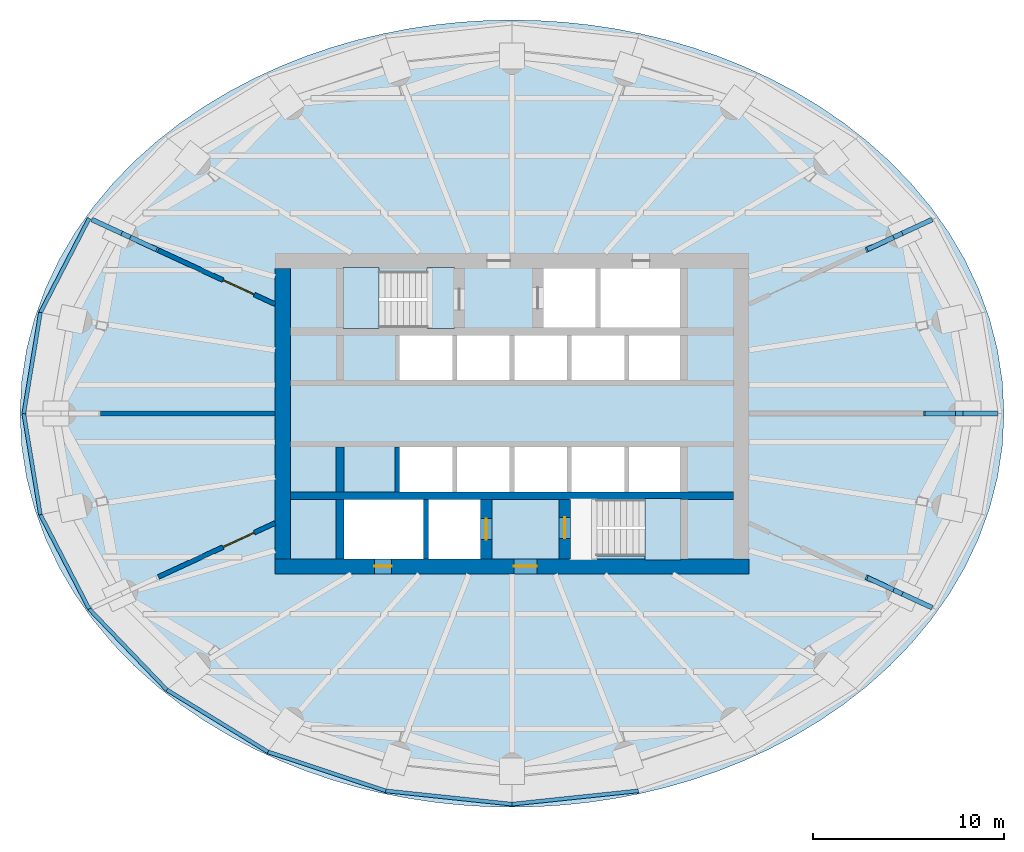
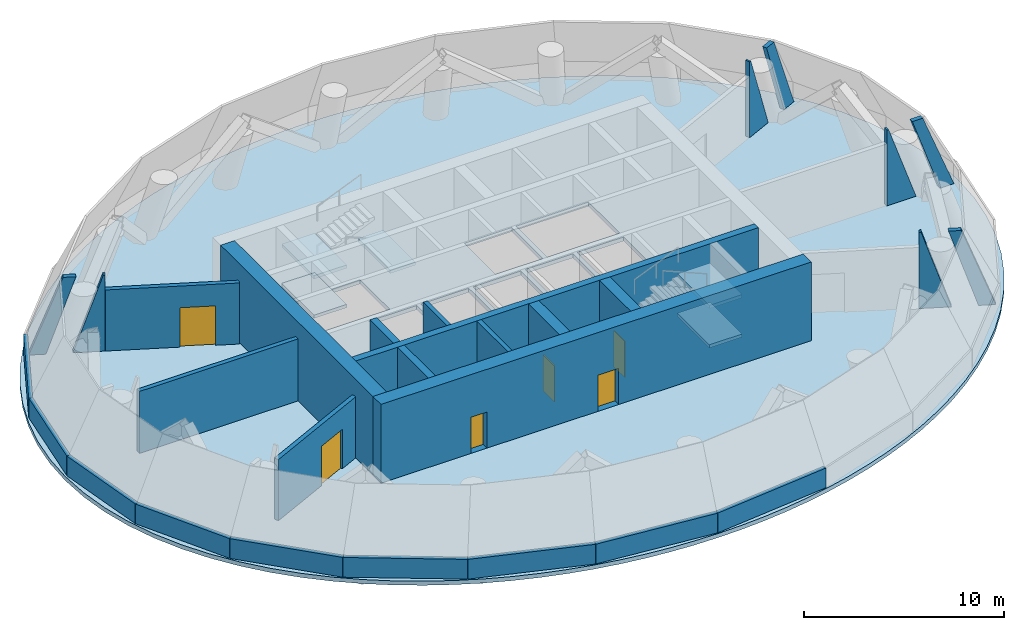
# One storey, part 4 of 7: 21 walls, 8 plates, 6 doors, 6 slabs, 6 openings, 2 elements without a shape of their own.
"""IFC4 building model written with IfcOpenShell, lengths in metres."""

from ifc_helpers import new_model, si_unit, direction, frame, frame_2d, origin, place, context, subcontext, project, spatial, polyline, rectangle, outline, extrude, material, layer, layer_set, type_object, element, fill, aggregate, save


model = new_model("IFC4")

# Units and contexts
model_context = context("Model", 3, precision=1e-05, world=origin(), true_north=direction((0.0, 1.0)))
body_context = subcontext(model_context, "Body", "Model", "MODEL_VIEW")
ifc_project = project(units=[si_unit("LENGTHUNIT", "METRE"), si_unit("AREAUNIT", "SQUARE_METRE"), si_unit("VOLUMEUNIT", "CUBIC_METRE"), si_unit("PLANEANGLEUNIT", "RADIAN"), si_unit("MASSUNIT", "GRAM", prefix="KILO")], contexts=[model_context])

# Site, building, storey
site_placement = place(None, origin())
site = spatial("IfcSite", under=ifc_project, at=site_placement, CompositionType="ELEMENT")
building_placement = place(site_placement, origin())
building = spatial("IfcBuilding", under=site, at=building_placement, Name="Hankou Lantern Tower", CompositionType="ELEMENT")
storey_placement = place(building_placement, frame((0.0, 0.0, 138.60009765625)))
storey = spatial("IfcBuildingStorey", under=building, at=storey_placement, Name="L36", CompositionType="ELEMENT", Elevation=138.60009765625)

# Plates
ifc_material_1 = material(Name="Fire-rated calcium silicate board on steel studs", Category="steel")
ifc_layer_1 = layer(ifc_material_1, 0.25)
ifc_layer_set_1 = layer_set([ifc_layer_1], Name="Fire-rated calcium silicate board on steel studs")
plate_type = type_object("IfcPlateType", Name="FC1 FIRE CLOSURE PANEL", PredefinedType="USERDEFINED", material=ifc_layer_set_1)
plate_1_placement = place(storey_placement, frame((18.56640625, 8.437744140625, 0.0), z_axis=(0.419347995877, -0.907825566005, 7.849859e-06), x_axis=(0.907825566033, 0.419347995889, -1.77e-10)))
element("IfcPlate", 1, at=plate_1_placement, inside=storey, type_object=plate_type, Name="Fire closure panel R03 inner L36", ObjectType="FIRE CLOSURE", PredefinedType="USERDEFINED", context=body_context, shape_type="SweptSolid", body=[
    extrude(outline(polyline([(0.0, 0.0), (1.6092544061965612, 0.0), (0.10005834045650583, 4.61987304703504), (-8.172578802356067e-10, 4.619873046732661), (0.0, 0.0)])), origin(), (0.0, 0.0, -1.0), 0.25),
])
plate_2_placement = place(storey_placement, frame((21.268798828125, 9.68603515625, 0.0), z_axis=(0.419316926769, -0.907839916968, 9.160366e-06), x_axis=(0.907839917006, 0.419316926787, -2.3e-10)))
element("IfcPlate", 2, at=plate_2_placement, inside=storey, type_object=plate_type, Name="Fire closure panel R03 outer L36", ObjectType="FIRE CLOSURE", PredefinedType="USERDEFINED", context=body_context, shape_type="SweptSolid", body=[
    extrude(outline(polyline([(0.0, 0.0), (0.8530194127164952, -4.235164736271502e-22), (-0.8664560068383167, 4.619873046869352), (-1.5091960675848435, 4.619873046524989), (0.0, 0.0)])), origin(), (0.0, 0.0, -1.0), 0.25),
])
plate_3_placement = place(storey_placement, frame((-18.461669921875, 8.664794921875, 0.0), z_axis=(0.419402376708, 0.907800444134, -6.552463e-06), x_axis=(-0.907800444153, 0.419402376717, -1.23e-10)))
element("IfcPlate", 3, at=plate_3_placement, inside=storey, type_object=plate_type, Name="Fire closure panel R11 inner L36", ObjectType="FIRE CLOSURE", PredefinedType="USERDEFINED", context=body_context, shape_type="SweptSolid", body=[
    extrude(outline(polyline([(0.0, 0.0), (1.609032770169032, -8.470329472543003e-22), (0.1000583426971336, 4.619873046986511), (-5.695139117115298e-10, 4.619873046775823), (0.0, 0.0)])), origin(), (0.0, 0.0, -1.0), 0.25),
])
plate_4_placement = place(storey_placement, frame((-21.1640625, 9.912841796875, 0.0), z_axis=(0.419316926769, 0.907839916968, -9.160366e-06), x_axis=(-0.907839917006, 0.419316926787, -2.3e-10)))
element("IfcPlate", 4, at=plate_4_placement, inside=storey, type_object=plate_type, Name="Fire closure panel R11 outer L36", ObjectType="FIRE CLOSURE", PredefinedType="USERDEFINED", context=body_context, shape_type="SweptSolid", body=[
    extrude(outline(polyline([(0.0, 0.0), (0.8530194127164952, -4.235164736271502e-22), (-0.8664560068383167, 4.619873046869352), (-1.5091960675848435, 4.619873046524989), (0.0, 0.0)])), origin(), (0.0, 0.0, -1.0), 0.25),
])
plate_5_placement = place(storey_placement, frame((18.56640625, -8.437744140625, 0.0), z_axis=(0.419347995877, 0.907825566005, 7.849859e-06), x_axis=(0.907825566033, -0.419347995889, -1.77e-10)))
element("IfcPlate", 5, at=plate_5_placement, inside=storey, type_object=plate_type, Name="Fire closure panel R23 inner L36", ObjectType="FIRE CLOSURE", PredefinedType="USERDEFINED", context=body_context, shape_type="SweptSolid", body=[
    extrude(outline(polyline([(0.0, 0.0), (1.6092544061965612, 0.0), (0.10005834045650583, -4.61987304703504), (-8.172578802356067e-10, -4.619873046732661), (0.0, 0.0)])), origin(), (0.0, 0.0, -1.0), 0.25),
])
plate_6_placement = place(storey_placement, frame((21.268798828125, -9.68603515625, 0.0), z_axis=(0.419316926769, 0.907839916968, 9.160366e-06), x_axis=(0.907839917006, -0.419316926787, -2.3e-10)))
element("IfcPlate", 6, at=plate_6_placement, inside=storey, type_object=plate_type, Name="Fire closure panel R23 outer L36", ObjectType="FIRE CLOSURE", PredefinedType="USERDEFINED", context=body_context, shape_type="SweptSolid", body=[
    extrude(outline(polyline([(0.0, 0.0), (0.8530194127164952, 4.235164736271502e-22), (-0.8664560068383167, -4.619873046869352), (-1.5091960675848435, -4.619873046524989), (0.0, 0.0)])), origin(), (0.0, 0.0, -1.0), 0.25),
])
plate_7_placement = place(storey_placement, frame((21.524658203125, 0.125, 0.0), z_axis=(0.0, 1.0, 0.0), x_axis=(1.0, 0.0, 0.0)))
element("IfcPlate", 7, at=plate_7_placement, inside=storey, type_object=plate_type, Name="Fire closure panel R01 inner L36", ObjectType="FIRE CLOSURE", PredefinedType="USERDEFINED", context=body_context, shape_type="SweptSolid", body=[
    extrude(outline(polyline([(0.0, 0.0), (1.68798828125, 0.0), (0.099853515625, -4.619873046875), (0.0, -4.619873046875), (0.0, 0.0)])), origin(), (0.0, 0.0, -1.0), 0.25),
])
plate_8_placement = place(storey_placement, frame((24.58740234375, 0.125, 0.0), z_axis=(0.0, 1.0, 0.0), x_axis=(1.0, 0.0, 0.0)))
element("IfcPlate", 8, at=plate_8_placement, inside=storey, type_object=plate_type, Name="Fire closure panel R01 outer L36", ObjectType="FIRE CLOSURE", PredefinedType="USERDEFINED", context=body_context, shape_type="SweptSolid", body=[
    extrude(outline(polyline([(0.0, 0.0), (0.8125, 0.0), (-0.9873046875, -4.619873046875), (-1.588134765625, -4.619873046875), (0.0, 0.0)])), origin(), (0.0, 0.0, -1.0), 0.25),
])

# Slab
ifc_material_2 = material(Name="Concrete C50", Category="concrete")
ifc_layer_2 = layer(ifc_material_2, 0.25)
ifc_layer_set_2 = layer_set([ifc_layer_2], Name="Concrete C50")
slab_type_1 = type_object("IfcSlabType", Name="S2 HEAVY FLOOR SLAB 250", PredefinedType="FLOOR", material=ifc_layer_set_2)
slab_1_placement = place(storey_placement, frame((0.0, 0.0, -0.25)))
element("IfcSlab", 9, at=slab_1_placement, inside=storey, type_object=slab_type_1, Name="Floor slab L36", PredefinedType="FLOOR", context=body_context, shape_type="SweptSolid", body=[
    extrude(outline(polyline([(25.75, 0.0), (25.6640625, 1.68212890625), (25.408203125, 3.344970703125), (24.9892578125, 4.970703125), (24.416748046875, 6.54248046875), (23.704345703125, 8.046630859375), (22.86669921875, 9.4716796875), (21.919921875, 10.809814453125), (20.88037109375, 12.05517578125), (19.763427734375, 13.205322265625), (18.58349609375, 14.259765625), (17.35400390625, 15.218994140625), (16.0859375, 16.0859375), (14.7890625, 16.863525390625), (13.47119140625, 17.55615234375), (12.138916015625, 18.167236328125), (10.79736328125, 18.701416015625), (9.449951171875, 19.16259765625), (8.099609375, 19.554443359375), (6.748291015625, 19.8798828125), (5.397216796875, 20.142333984375), (4.046630859375, 20.343994140625), (2.697021484375, 20.486572265625), (1.348388671875, 20.57177734375), (0.0, 20.60009765625), (-1.348388671875, 20.57177734375), (-2.697021484375, 20.486572265625), (-4.046630859375, 20.343994140625), (-5.397216796875, 20.142333984375), (-6.748291015625, 19.8798828125), (-8.099609375, 19.554443359375), (-9.449951171875, 19.16259765625), (-10.79736328125, 18.701416015625), (-12.138916015625, 18.167236328125), (-13.47119140625, 17.55615234375), (-14.7890625, 16.863525390625), (-16.0859375, 16.0859375), (-17.35400390625, 15.218994140625), (-18.58349609375, 14.259765625), (-19.763427734375, 13.205322265625), (-20.88037109375, 12.05517578125), (-21.919921875, 10.809814453125), (-22.86669921875, 9.4716796875), (-23.704345703125, 8.046630859375), (-24.416748046875, 6.54248046875), (-24.9892578125, 4.970703125), (-25.408203125, 3.344970703125), (-25.6640625, 1.68212890625), (-25.75, 0.0), (-25.6640625, -1.68212890625), (-25.408203125, -3.344970703125), (-24.9892578125, -4.970703125), (-24.416748046875, -6.54248046875), (-23.704345703125, -8.046630859375), (-22.86669921875, -9.4716796875), (-21.919921875, -10.809814453125), (-20.88037109375, -12.05517578125), (-19.763427734375, -13.205322265625), (-18.58349609375, -14.259765625), (-17.35400390625, -15.218994140625), (-16.0859375, -16.0859375), (-14.7890625, -16.863525390625), (-13.47119140625, -17.55615234375), (-12.138916015625, -18.167236328125), (-10.79736328125, -18.701416015625), (-9.449951171875, -19.16259765625), (-8.099609375, -19.554443359375), (-6.748291015625, -19.8798828125), (-5.397216796875, -20.142333984375), (-4.046630859375, -20.343994140625), (-2.697021484375, -20.486572265625), (-1.348388671875, -20.57177734375), (0.0, -20.60009765625), (1.348388671875, -20.57177734375), (2.697021484375, -20.486572265625), (4.046630859375, -20.343994140625), (5.397216796875, -20.142333984375), (6.748291015625, -19.8798828125), (8.099609375, -19.554443359375), (9.449951171875, -19.16259765625), (10.79736328125, -18.701416015625), (12.138916015625, -18.167236328125), (13.47119140625, -17.55615234375), (14.7890625, -16.863525390625), (16.0859375, -16.0859375), (17.35400390625, -15.218994140625), (18.58349609375, -14.259765625), (19.763427734375, -13.205322265625), (20.88037109375, -12.05517578125), (21.919921875, -10.809814453125), (22.86669921875, -9.4716796875), (23.704345703125, -8.046630859375), (24.416748046875, -6.54248046875), (24.9892578125, -4.970703125), (25.408203125, -3.344970703125), (25.6640625, -1.68212890625), (25.75, 0.0)]), holes=[polyline([(-5.875, 4.10009765625), (-3.125, 4.10009765625), (-3.125, 1.75), (-5.875, 1.75), (-5.875, 4.10009765625)]), polyline([(-2.875, 4.10009765625), (-0.125, 4.10009765625), (-0.125, 1.75), (-2.875, 1.75), (-2.875, 4.10009765625)]), polyline([(0.125, 4.10009765625), (2.875, 4.10009765625), (2.875, 1.75), (0.125, 1.75), (0.125, 4.10009765625)]), polyline([(3.125, 4.10009765625), (5.875, 4.10009765625), (5.875, 1.75), (3.125, 1.75), (3.125, 4.10009765625)]), polyline([(6.125, 4.10009765625), (8.800048828125, 4.10009765625), (8.800048828125, 1.75), (6.125, 1.75), (6.125, 4.10009765625)]), polyline([(-5.875, -1.75), (-3.125, -1.75), (-3.125, -4.10009765625), (-5.875, -4.10009765625), (-5.875, -1.75)]), polyline([(-2.875, -1.75), (-0.125, -1.75), (-0.125, -4.10009765625), (-2.875, -4.10009765625), (-2.875, -1.75)]), polyline([(0.125, -1.75), (2.875, -1.75), (2.875, -4.10009765625), (0.125, -4.10009765625), (0.125, -1.75)]), polyline([(3.125, -1.75), (5.875, -1.75), (5.875, -4.10009765625), (3.125, -4.10009765625), (3.125, -1.75)]), polyline([(6.125, -1.75), (8.800048828125, -1.75), (8.800048828125, -4.10009765625), (6.125, -4.10009765625), (6.125, -1.75)]), polyline([(1.64990234375, 7.60009765625), (4.375, 7.60009765625), (4.375, 4.5), (1.64990234375, 4.5), (1.64990234375, 7.60009765625)]), polyline([(-4.375, -4.5), (-1.64990234375, -4.5), (-1.64990234375, -7.60009765625), (-4.375, -7.60009765625), (-4.375, -4.5)]), polyline([(-8.699951171875, 7.449951171875), (-4.449951171875, 7.449951171875), (-4.449951171875, 4.5), (-8.699951171875, 4.5), (-8.699951171875, 7.449951171875)]), polyline([(4.449951171875, -4.5), (8.699951171875, -4.5), (8.699951171875, -7.449951171875), (4.449951171875, -7.449951171875), (4.449951171875, -4.5)]), polyline([(4.625, 7.60009765625), (8.800048828125, 7.60009765625), (8.800048828125, 4.5), (4.625, 4.5), (4.625, 7.60009765625)]), polyline([(-8.800048828125, -4.5), (-4.625, -4.5), (-4.625, -7.60009765625), (-8.800048828125, -7.60009765625), (-8.800048828125, -4.5)])]), origin(), (0.0, 0.0, 1.0), 0.25),
])

# Stair, slabs
ifc_material_3 = material(Name="Concrete C40", Category="concrete")
stair_type = type_object("IfcStairType", Name="ST48 CORE STAIR 4800 RISE", PredefinedType="HALF_TURN_STAIR", material=ifc_material_3)
stair_1_placement = place(storey_placement, origin())
stair_1 = element("IfcStair", 10, at=stair_1_placement, inside=storey, type_object=stair_type, Name="Stair STA L36", PredefinedType="HALF_TURN_STAIR")
ifc_material_4 = material(Name="Concrete C40", Category="concrete")
ifc_layer_3 = layer(ifc_material_4, 0.199951171875)
ifc_layer_set_3 = layer_set([ifc_layer_3], Name="Concrete C40")
slab_type_2 = type_object("IfcSlabType", Name="SL1 STAIR LANDING 200", PredefinedType="LANDING", material=ifc_layer_set_3)
slab_2_placement = place(storey_placement, frame((0.0, 0.0, 1.0)))
slab_2 = element("IfcSlab", 11, at=slab_2_placement, type_object=slab_type_2, Name="STA landing 1", PredefinedType="LANDING", context=body_context, shape_type="SweptSolid", body=[
    extrude(outline(polyline([(-8.85009765625, 4.449951171875), (-6.949951171875, 4.449951171875), (-6.949951171875, 7.64990234375), (-8.85009765625, 7.64990234375), (-8.85009765625, 4.449951171875)])), origin(), (0.0, 0.0, 1.0), 0.199951171875),
])
slab_3_placement = place(storey_placement, frame((0.0, 0.0, 2.199951171875)))
slab_3 = element("IfcSlab", 12, at=slab_3_placement, type_object=slab_type_2, Name="STA landing 2", PredefinedType="LANDING", context=body_context, shape_type="SweptSolid", body=[
    extrude(outline(polyline([(-4.449951171875, 4.449951171875), (-3.0, 4.449951171875), (-3.0, 7.64990234375), (-4.449951171875, 7.64990234375), (-4.449951171875, 4.449951171875)])), origin(), (0.0, 0.0, 1.0), 0.199951171875),
])
slab_4_placement = place(storey_placement, frame((0.0, 0.0, 3.39990234375)))
slab_4 = element("IfcSlab", 13, at=slab_4_placement, type_object=slab_type_2, Name="STA landing 3", PredefinedType="LANDING", context=body_context, shape_type="SweptSolid", body=[
    extrude(outline(polyline([(-8.85009765625, 4.449951171875), (-6.949951171875, 4.449951171875), (-6.949951171875, 7.64990234375), (-8.85009765625, 7.64990234375), (-8.85009765625, 4.449951171875)])), origin(), (0.0, 0.0, 1.0), 0.199951171875),
])
aggregate(stair_1, [slab_2, slab_3, slab_4])

stair_2_placement = place(storey_placement, origin())
stair_2 = element("IfcStair", 14, at=stair_2_placement, inside=storey, type_object=stair_type, Name="Stair STB L36", PredefinedType="HALF_TURN_STAIR")
slab_5_placement = place(storey_placement, frame((0.0, 0.0, 1.0)))
slab_5 = element("IfcSlab", 15, at=slab_5_placement, type_object=slab_type_2, Name="STB landing 1", PredefinedType="LANDING", context=body_context, shape_type="SweptSolid", body=[
    extrude(outline(polyline([(8.85009765625, -4.449951171875), (6.949951171875, -4.449951171875), (6.949951171875, -7.64990234375), (8.85009765625, -7.64990234375), (8.85009765625, -4.449951171875)])), origin(), (0.0, 0.0, 1.0), 0.199951171875),
])
slab_6_placement = place(storey_placement, frame((0.0, 0.0, 3.39990234375)))
slab_6 = element("IfcSlab", 16, at=slab_6_placement, type_object=slab_type_2, Name="STB landing 3", PredefinedType="LANDING", context=body_context, shape_type="SweptSolid", body=[
    extrude(outline(polyline([(8.85009765625, -4.449951171875), (6.949951171875, -4.449951171875), (6.949951171875, -7.64990234375), (8.85009765625, -7.64990234375), (8.85009765625, -4.449951171875)])), origin(), (0.0, 0.0, 1.0), 0.199951171875),
])
aggregate(stair_2, [slab_5, slab_6])

# Wall, openings, doors
ifc_material_5 = material(Name="Concrete C60", Category="concrete")
ifc_layer_4 = layer(ifc_material_5, 0.800048828125)
ifc_layer_set_4 = layer_set([ifc_layer_4], Name="Concrete C60")
wall_type_1 = type_object("IfcWallType", Name="CW2 CORE WALL 800", PredefinedType="SHEAR", material=ifc_layer_set_4)
wall_1_placement = place(storey_placement, frame((12.39990234375, -8.0, 0.0), z_axis=(0.0, 0.0, 1.0), x_axis=(-1.0, 0.0, 0.0)))
wall_1 = element("IfcWall", 17, at=wall_1_placement, inside=storey, type_object=wall_type_1, Name="Core wall south L36", PredefinedType="SHEAR", context=body_context, shape_type="SweptSolid", body=[
    extrude(rectangle(XDim=24.7998046875, YDim=0.800048828125, at=frame_2d((12.39990234375, 0.0))), origin(), (0.0, 0.0, 1.0), 4.7998046875),
])
opening_1_placement = place(wall_1_placement, frame((11.10009765625, 0.0, 0.0)))
opening_1 = element("IfcOpeningElement", 18, at=opening_1_placement, cuts=wall_1, Name="Opening D5", PredefinedType="OPENING", context=body_context, shape_type="SweptSolid", body=[
    extrude(rectangle(XDim=1.199951171875, YDim=2.199951171875, at=frame_2d((0.60009765625, 1.10009765625))), frame((0.0, 0.409912109375, 0.0), z_axis=(0.0, -1.0, 0.0), x_axis=(1.0, 0.0, 0.0)), (0.0, 0.0, 1.0), 0.820068359375),
])
opening_2_placement = place(wall_1_placement, frame((18.699951171875, 0.0, 0.0)))
opening_2 = element("IfcOpeningElement", 19, at=opening_2_placement, cuts=wall_1, Name="Opening D7", PredefinedType="OPENING", context=body_context, shape_type="SweptSolid", body=[
    extrude(rectangle(XDim=0.89990234375, YDim=2.199951171875, at=frame_2d((0.449951171875, 1.10009765625))), frame((0.0, 0.409912109375, 0.0), z_axis=(0.0, -1.0, 0.0), x_axis=(1.0, 0.0, 0.0)), (0.0, 0.0, 1.0), 0.820068359375),
])
ifc_material_6 = material(Name="Steel door leaf", Category="steel")
door_type_1 = type_object("IfcDoorType", Name="D5 STAIR LOBBY DOOR 1200X2200", OperationType="SINGLE_SWING_LEFT", PredefinedType="DOOR", material=ifc_material_6)
door_1_placement = place(opening_1_placement, origin())
door_1 = element("IfcDoor", 20, at=door_1_placement, inside=storey, type_object=door_type_1, Name="Stair B lobby door", OperationType="SINGLE_SWING_LEFT", OverallHeight=2.199951171875, OverallWidth=1.199951171875, PredefinedType="DOOR", context=body_context, shape_type="SweptSolid", body=[
    extrude(rectangle(XDim=1.199951171875, YDim=2.199951171875, at=frame_2d((0.60009765625, 1.10009765625))), frame((0.0, 0.02490234375, 0.0), z_axis=(0.0, -1.0, 0.0), x_axis=(1.0, 0.0, 0.0)), (0.0, 0.0, 1.0), 0.050048828125),
])
fill(opening_1, door_1)
ifc_material_7 = material(Name="Steel door leaf", Category="steel")
door_type_2 = type_object("IfcDoorType", Name="D7 RISER DOOR 900X2200", OperationType="SINGLE_SWING_LEFT", PredefinedType="DOOR", material=ifc_material_7)
door_2_placement = place(opening_2_placement, origin())
door_2 = element("IfcDoor", 21, at=door_2_placement, inside=storey, type_object=door_type_2, Name="Riser S1 door", OperationType="SINGLE_SWING_RIGHT", OverallHeight=2.199951171875, OverallWidth=0.89990234375, PredefinedType="DOOR", context=body_context, shape_type="SweptSolid", body=[
    extrude(rectangle(XDim=0.89990234375, YDim=2.199951171875, at=frame_2d((0.449951171875, 1.10009765625))), frame((0.0, 0.02490234375, 0.0), z_axis=(0.0, -1.0, 0.0), x_axis=(1.0, 0.0, 0.0)), (0.0, 0.0, 1.0), 0.050048828125),
])
fill(opening_2, door_2)

# Walls
wall_2_placement = place(storey_placement, frame((-12.0, 7.60009765625, 0.0), z_axis=(0.0, 0.0, 1.0), x_axis=(0.0, -1.0, 0.0)))
element("IfcWall", 22, at=wall_2_placement, inside=storey, type_object=wall_type_1, Name="Core wall west L36", PredefinedType="SHEAR", context=body_context, shape_type="SweptSolid", body=[
    extrude(rectangle(XDim=15.2001953125, YDim=0.800048828125, at=frame_2d((7.60009765625, 0.0))), origin(), (0.0, 0.0, 1.0), 4.7998046875),
])
ifc_material_8 = material(Name="Concrete C60", Category="concrete")
ifc_layer_5 = layer(ifc_material_8, 0.39990234375)
ifc_layer_set_5 = layer_set([ifc_layer_5], Name="Concrete C60")
wall_type_2 = type_object("IfcWallType", Name="CW4 CORE CROSS WALL 400", PredefinedType="SHEAR", material=ifc_layer_set_5)
wall_3_placement = place(storey_placement, frame((-11.60009765625, -4.300048828125, 0.0), z_axis=(0.0, 0.0, 1.0), x_axis=(1.0, 0.0, 0.0)))
element("IfcWall", 23, at=wall_3_placement, inside=storey, type_object=wall_type_2, Name="Core band wall south L36", PredefinedType="SHEAR", context=body_context, shape_type="SweptSolid", body=[
    extrude(rectangle(XDim=23.2001953125, YDim=0.39990234375, at=frame_2d((11.60009765625, 0.0))), origin(), (0.0, 0.0, 1.0), 4.7998046875),
])
wall_4_placement = place(storey_placement, frame((-9.0, -4.10009765625, 0.0), z_axis=(0.0, 0.0, 1.0), x_axis=(0.0, 1.0, 0.0)))
element("IfcWall", 24, at=wall_4_placement, inside=storey, type_object=wall_type_2, Name="Core strip wall L36", PredefinedType="SHEAR", context=body_context, shape_type="SweptSolid", body=[
    extrude(rectangle(XDim=2.35009765625, YDim=0.39990234375, at=frame_2d((1.175048828125, 0.0))), origin(), (0.0, 0.0, 1.0), 4.7998046875),
])
wall_5_placement = place(storey_placement, frame((-9.0, -7.60009765625, 0.0), z_axis=(0.0, 0.0, 1.0), x_axis=(0.0, 1.0, 0.0)))
element("IfcWall", 25, at=wall_5_placement, inside=storey, type_object=wall_type_2, Name="Core strip wall L36", PredefinedType="SHEAR", context=body_context, shape_type="SweptSolid", body=[
    extrude(rectangle(XDim=3.10009765625, YDim=0.39990234375, at=frame_2d((1.550048828125, 0.0))), origin(), (0.0, 0.0, 1.0), 4.7998046875),
])

# Wall, opening, door
ifc_material_9 = material(Name="Concrete C60", Category="concrete")
ifc_layer_6 = layer(ifc_material_9, 0.60009765625)
ifc_layer_set_6 = layer_set([ifc_layer_6], Name="Concrete C60")
wall_type_3 = type_object("IfcWallType", Name="CW6 STAIR AND SHAFT WALL 600", PredefinedType="SHEAR", material=ifc_layer_set_6)
wall_6_placement = place(storey_placement, frame((2.75, -7.60009765625, 0.0), z_axis=(0.0, 0.0, 1.0), x_axis=(0.0, 1.0, 0.0)))
wall_6 = element("IfcWall", 26, at=wall_6_placement, inside=storey, type_object=wall_type_3, Name="Stair wall L36", PredefinedType="SHEAR", context=body_context, shape_type="SweptSolid", body=[
    extrude(rectangle(XDim=3.10009765625, YDim=0.60009765625, at=frame_2d((1.550048828125, 0.0))), origin(), (0.0, 0.0, 1.0), 4.7998046875),
])
opening_3_placement = place(wall_6_placement, frame((1.074951171875, 0.0, 0.0)))
opening_3 = element("IfcOpeningElement", 27, at=opening_3_placement, cuts=wall_6, Name="Opening D4", PredefinedType="OPENING", context=body_context, shape_type="SweptSolid", body=[
    extrude(rectangle(XDim=1.10009765625, YDim=2.199951171875, at=frame_2d((0.550048828125, 1.10009765625))), frame((0.0, 0.31005859375, 0.0), z_axis=(0.0, -1.0, 0.0), x_axis=(1.0, 0.0, 0.0)), (0.0, 0.0, 1.0), 0.6201171875),
])
ifc_material_10 = material(Name="Steel door leaf", Category="steel")
door_type_3 = type_object("IfcDoorType", Name="D4 STAIR DOOR 1100X2200", OperationType="SINGLE_SWING_LEFT", PredefinedType="DOOR", material=ifc_material_10)
door_3_placement = place(opening_3_placement, origin())
door_3 = element("IfcDoor", 28, at=door_3_placement, inside=storey, type_object=door_type_3, Name="Stair B door", OperationType="SINGLE_SWING_RIGHT", OverallHeight=2.199951171875, OverallWidth=1.10009765625, PredefinedType="DOOR", context=body_context, shape_type="SweptSolid", body=[
    extrude(rectangle(XDim=1.10009765625, YDim=2.199951171875, at=frame_2d((0.550048828125, 1.10009765625))), frame((0.0, 0.02490234375, 0.0), z_axis=(0.0, -1.0, 0.0), x_axis=(1.0, 0.0, 0.0)), (0.0, 0.0, 1.0), 0.050048828125),
])
fill(opening_3, door_3)

wall_7_placement = place(storey_placement, frame((-1.35009765625, -7.60009765625, 0.0), z_axis=(0.0, 0.0, 1.0), x_axis=(0.0, 1.0, 0.0)))
wall_7 = element("IfcWall", 29, at=wall_7_placement, inside=storey, type_object=wall_type_3, Name="Firefighting lift shaft wall L36", PredefinedType="SHEAR", context=body_context, shape_type="SweptSolid", body=[
    extrude(rectangle(XDim=3.10009765625, YDim=0.60009765625, at=frame_2d((1.550048828125, 0.0))), origin(), (0.0, 0.0, 1.0), 4.7998046875),
])
opening_4_placement = place(wall_7_placement, frame((1.0, 0.0, 0.0)))
opening_4 = element("IfcOpeningElement", 30, at=opening_4_placement, cuts=wall_7, Name="Opening LD2", PredefinedType="OPENING", context=body_context, shape_type="SweptSolid", body=[
    extrude(rectangle(XDim=1.10009765625, YDim=2.199951171875, at=frame_2d((0.550048828125, 1.10009765625))), frame((0.0, 0.31005859375, 0.0), z_axis=(0.0, -1.0, 0.0), x_axis=(1.0, 0.0, 0.0)), (0.0, 0.0, 1.0), 0.6201171875),
])
ifc_material_11 = material(Name="Steel door leaf", Category="steel")
door_type_4 = type_object("IfcDoorType", Name="LD2 FIREFIGHTING LIFT LANDING DOOR 1100X2200", OperationType="DOUBLE_DOOR_SLIDING", PredefinedType="DOOR", material=ifc_material_11)
door_4_placement = place(opening_4_placement, origin())
door_4 = element("IfcDoor", 31, at=door_4_placement, inside=storey, type_object=door_type_4, Name="Firefighting lift FL2 landing door", OperationType="DOUBLE_DOOR_SLIDING", OverallHeight=2.199951171875, OverallWidth=1.10009765625, PredefinedType="DOOR", context=body_context, shape_type="SweptSolid", body=[
    extrude(rectangle(XDim=1.10009765625, YDim=2.199951171875, at=frame_2d((0.550048828125, 1.10009765625))), frame((0.0, 0.02490234375, 0.0), z_axis=(0.0, -1.0, 0.0), x_axis=(1.0, 0.0, 0.0)), (0.0, 0.0, 1.0), 0.050048828125),
])
fill(opening_4, door_4)

# Walls
ifc_material_12 = material(Name="Precast concrete C40 spandrel", Category="concrete")
ifc_layer_7 = layer(ifc_material_12, 0.199951171875)
ifc_layer_set_7 = layer_set([ifc_layer_7], Name="Precast concrete C40 spandrel")
wall_type_4 = type_object("IfcWallType", Name="EW3 SPANDREL WALL 200", PredefinedType="PARAPET", material=ifc_layer_set_7)
wall_8_placement = place(storey_placement, frame((-22.126953125, 10.219970703125, 0.0), z_axis=(0.0, 0.0, 1.0), x_axis=(-0.459799751401, -0.888022628435, 0.0)))
element("IfcWall", 32, at=wall_8_placement, inside=storey, type_object=wall_type_4, Name="Spandrel wall R11 L36", PredefinedType="PARAPET", context=body_context, shape_type="SweptSolid", body=[
    extrude(rectangle(XDim=5.55126953125, YDim=0.199951171875, at=frame_2d((2.775634765625, 0.0))), origin(), (0.0, 0.0, 1.0), 1.199951171875),
])
for number, where, z_axis, x_axis, name in (
    (33, (-24.679443359375, 5.290283203125, 0.0), (0.0, 0.0, 1.0), (-0.162382736065, -0.986727848511, 0.0), "Spandrel wall R12 L36"),
    (34, (-25.550048828125, 0.0, 0.0), (0.0, 0.0, 1.0), (0.162382736065, -0.986727848511, 0.0), "Spandrel wall R13 L36"),
):
    element("IfcWall", number, at=place(storey_placement, frame(where, z_axis=z_axis, x_axis=x_axis)), inside=storey, type_object=wall_type_4, Name=name, PredefinedType="PARAPET", context=body_context, shape_type="SweptSolid", body=[
        extrude(rectangle(XDim=5.361328125, YDim=0.199951171875, at=frame_2d((2.6806640625, 0.0))), origin(), (0.0, 0.0, 1.0), 1.199951171875),
    ])
wall_9_placement = place(storey_placement, frame((-24.679443359375, -5.290283203125, 0.0), z_axis=(0.0, 0.0, 1.0), x_axis=(0.459799751401, -0.888022628435, 0.0)))
element("IfcWall", 35, at=wall_9_placement, inside=storey, type_object=wall_type_4, Name="Spandrel wall R14 L36", PredefinedType="PARAPET", context=body_context, shape_type="SweptSolid", body=[
    extrude(rectangle(XDim=5.55126953125, YDim=0.199951171875, at=frame_2d((2.775634765625, 0.0))), origin(), (0.0, 0.0, 1.0), 1.199951171875),
])
wall_10_placement = place(storey_placement, frame((-22.126953125, -10.219970703125, 0.0), z_axis=(0.0, 0.0, 1.0), x_axis=(0.692198197334, -0.721707458467, 0.0)))
element("IfcWall", 36, at=wall_10_placement, inside=storey, type_object=wall_type_4, Name="Spandrel wall R15 L36", PredefinedType="PARAPET", context=body_context, shape_type="SweptSolid", body=[
    extrude(rectangle(XDim=5.86572265625, YDim=0.199951171875, at=frame_2d((2.932861328125, 0.0))), origin(), (0.0, 0.0, 1.0), 1.199951171875),
])
wall_11_placement = place(storey_placement, frame((-18.066650390625, -14.453369140625, 0.0), z_axis=(0.0, 0.0, 1.0), x_axis=(0.852245039727, -0.523142802933, 0.0)))
element("IfcWall", 37, at=wall_11_placement, inside=storey, type_object=wall_type_4, Name="Spandrel wall R16 L36", PredefinedType="PARAPET", context=body_context, shape_type="SweptSolid", body=[
    extrude(rectangle(XDim=6.209228515625, YDim=0.199951171875, at=frame_2d((3.1044921875, 0.0))), origin(), (0.0, 0.0, 1.0), 1.199951171875),
])
wall_12_placement = place(storey_placement, frame((-12.77490234375, -17.70166015625, 0.0), z_axis=(0.0, 0.0, 1.0), x_axis=(0.94924966328, -0.314523571078, 0.0)))
element("IfcWall", 38, at=wall_12_placement, inside=storey, type_object=wall_type_4, Name="Spandrel wall R17 L36", PredefinedType="PARAPET", context=body_context, shape_type="SweptSolid", body=[
    extrude(rectangle(XDim=6.491455078125, YDim=0.199951171875, at=frame_2d((3.24560546875, 0.0))), origin(), (0.0, 0.0, 1.0), 1.199951171875),
])
for number, where, z_axis, x_axis, name in (
    (39, (-6.61279296875, -19.743408203125, 0.0), (0.0, 0.0, 1.0), (0.994498409184, -0.10475167841, 0.0), "Spandrel wall R18 L36"),
    (40, (0.0, -20.43994140625, 0.0), (0.0, 0.0, 1.0), (0.994498409184, 0.10475167841, 0.0), "Spandrel wall R19 L36"),
):
    element("IfcWall", number, at=place(storey_placement, frame(where, z_axis=z_axis, x_axis=x_axis)), inside=storey, type_object=wall_type_4, Name=name, PredefinedType="PARAPET", context=body_context, shape_type="SweptSolid", body=[
        extrude(rectangle(XDim=6.6494140625, YDim=0.199951171875, at=frame_2d((3.32470703125, 0.0))), origin(), (0.0, 0.0, 1.0), 1.199951171875),
    ])

# Wall, opening, door
ifc_material_13 = material(Name="Masonry dense concrete block", Category="masonry")
ifc_layer_8 = layer(ifc_material_13, 0.25)
ifc_layer_set_8 = layer_set([ifc_layer_8], Name="Masonry dense concrete block")
wall_type_5 = type_object("IfcWallType", Name="IW5 PLANT ROOM FIRE WALL 250", PredefinedType="PARTITIONING", material=ifc_layer_set_8)
wall_13_placement = place(storey_placement, frame((-12.39990234375, 5.727294921875, 0.0), z_axis=(0.0, 0.0, 1.0), x_axis=(-0.907839453041, 0.419317931291, 0.0)))
wall_13 = element("IfcWall", 41, at=wall_13_placement, inside=storey, type_object=wall_type_5, Name="Plant room fire wall R11", PredefinedType="PARTITIONING", context=body_context, shape_type="SweptSolid", body=[
    extrude(rectangle(XDim=6.734619140625, YDim=0.25, at=frame_2d((3.3671875, 0.0))), origin(), (0.0, 0.0, 1.0), 3.719970703125),
])
opening_5_placement = place(wall_13_placement, frame((1.199951171875, 0.0, 0.0)))
opening_5 = element("IfcOpeningElement", 42, at=opening_5_placement, cuts=wall_13, Name="Opening D9", PredefinedType="OPENING", context=body_context, shape_type="SweptSolid", body=[
    extrude(rectangle(XDim=1.800048828125, YDim=2.39990234375, at=frame_2d((0.89990234375, 1.199951171875))), frame((0.0, 0.135009765625, 0.0), z_axis=(0.0, -1.0, 0.0), x_axis=(1.0, 0.0, 0.0)), (0.0, 0.0, 1.0), 0.27001953125),
])
ifc_material_14 = material(Name="Steel door leaf", Category="steel")
door_type_5 = type_object("IfcDoorType", Name="D9 PLANT ROOM DOOR 1800X2400", OperationType="DOUBLE_DOOR_DOUBLE_SWING", PredefinedType="DOOR", material=ifc_material_14)
door_5_placement = place(opening_5_placement, origin())
door_5 = element("IfcDoor", 43, at=door_5_placement, inside=storey, type_object=door_type_5, Name="Plant room door R11", OperationType="DOUBLE_DOOR_DOUBLE_SWING", OverallHeight=2.39990234375, OverallWidth=1.800048828125, PredefinedType="DOOR", context=body_context, shape_type="SweptSolid", body=[
    extrude(rectangle(XDim=1.800048828125, YDim=2.39990234375, at=frame_2d((0.89990234375, 1.199951171875))), frame((0.0, 0.02490234375, 0.0), z_axis=(0.0, -1.0, 0.0), x_axis=(1.0, 0.0, 0.0)), (0.0, 0.0, 1.0), 0.050048828125),
])
fill(opening_5, door_5)

wall_14_placement = place(storey_placement, frame((-12.39990234375, -5.727294921875, 0.0), z_axis=(0.0, 0.0, 1.0), x_axis=(-0.907839453041, -0.419317931291, 0.0)))
wall_14 = element("IfcWall", 44, at=wall_14_placement, inside=storey, type_object=wall_type_5, Name="Plant room fire wall R15", PredefinedType="PARTITIONING", context=body_context, shape_type="SweptSolid", body=[
    extrude(rectangle(XDim=6.734619140625, YDim=0.25, at=frame_2d((3.3671875, 0.0))), origin(), (0.0, 0.0, 1.0), 3.719970703125),
])
opening_6_placement = place(wall_14_placement, frame((1.199951171875, 0.0, 0.0)))
opening_6 = element("IfcOpeningElement", 45, at=opening_6_placement, cuts=wall_14, Name="Opening D9", PredefinedType="OPENING", context=body_context, shape_type="SweptSolid", body=[
    extrude(rectangle(XDim=1.800048828125, YDim=2.39990234375, at=frame_2d((0.89990234375, 1.199951171875))), frame((0.0, 0.135009765625, 0.0), z_axis=(0.0, -1.0, 0.0), x_axis=(1.0, 0.0, 0.0)), (0.0, 0.0, 1.0), 0.27001953125),
])
door_6_placement = place(opening_6_placement, origin())
door_6 = element("IfcDoor", 46, at=door_6_placement, inside=storey, type_object=door_type_5, Name="Plant room door R15", OperationType="DOUBLE_DOOR_DOUBLE_SWING", OverallHeight=2.39990234375, OverallWidth=1.800048828125, PredefinedType="DOOR", context=body_context, shape_type="SweptSolid", body=[
    extrude(rectangle(XDim=1.800048828125, YDim=2.39990234375, at=frame_2d((0.89990234375, 1.199951171875))), frame((0.0, 0.02490234375, 0.0), z_axis=(0.0, -1.0, 0.0), x_axis=(1.0, 0.0, 0.0)), (0.0, 0.0, 1.0), 0.050048828125),
])
fill(opening_6, door_6)

# Walls
wall_15_placement = place(storey_placement, frame((-12.39990234375, 0.0, 0.0), z_axis=(0.0, 0.0, 1.0), x_axis=(-1.0, 0.0, 0.0)))
element("IfcWall", 47, at=wall_15_placement, inside=storey, type_object=wall_type_5, Name="Plant room partition R13", PredefinedType="PARTITIONING", context=body_context, shape_type="SweptSolid", body=[
    extrude(rectangle(XDim=9.124755859375, YDim=0.25, at=frame_2d((4.5625, 0.0))), origin(), (0.0, 0.0, 1.0), 3.77001953125),
])
ifc_material_15 = material(Name="Masonry autoclaved aerated concrete block", Category="masonry")
ifc_layer_9 = layer(ifc_material_15, 0.25)
ifc_layer_set_9 = layer_set([ifc_layer_9], Name="Masonry autoclaved aerated concrete block")
wall_type_6 = type_object("IfcWallType", Name="SW1 SHAFT BLOCK WALL 250", PredefinedType="PARTITIONING", material=ifc_layer_set_9)
wall_16_placement = place(storey_placement, frame((-4.5, -7.60009765625, 0.0), z_axis=(0.0, 0.0, 1.0), x_axis=(0.0, 1.0, 0.0)))
element("IfcWall", 48, at=wall_16_placement, inside=storey, type_object=wall_type_6, Name="Riser wall L36", PredefinedType="PARTITIONING", context=body_context, shape_type="SweptSolid", body=[
    extrude(rectangle(XDim=3.10009765625, YDim=0.25, at=frame_2d((1.550048828125, 0.0))), origin(), (0.0, 0.0, 1.0), 4.7998046875),
])
wall_17_placement = place(storey_placement, frame((-6.0, -4.10009765625, 0.0), z_axis=(0.0, 0.0, 1.0), x_axis=(0.0, 1.0, 0.0)))
element("IfcWall", 49, at=wall_17_placement, inside=storey, type_object=wall_type_6, Name="Lift shaft wall L36", PredefinedType="PARTITIONING", context=body_context, shape_type="SweptSolid", body=[
    extrude(rectangle(XDim=2.35009765625, YDim=0.25, at=frame_2d((1.175048828125, 0.0))), origin(), (0.0, 0.0, 1.0), 4.7998046875),
])

save(model, "model.ifc")
